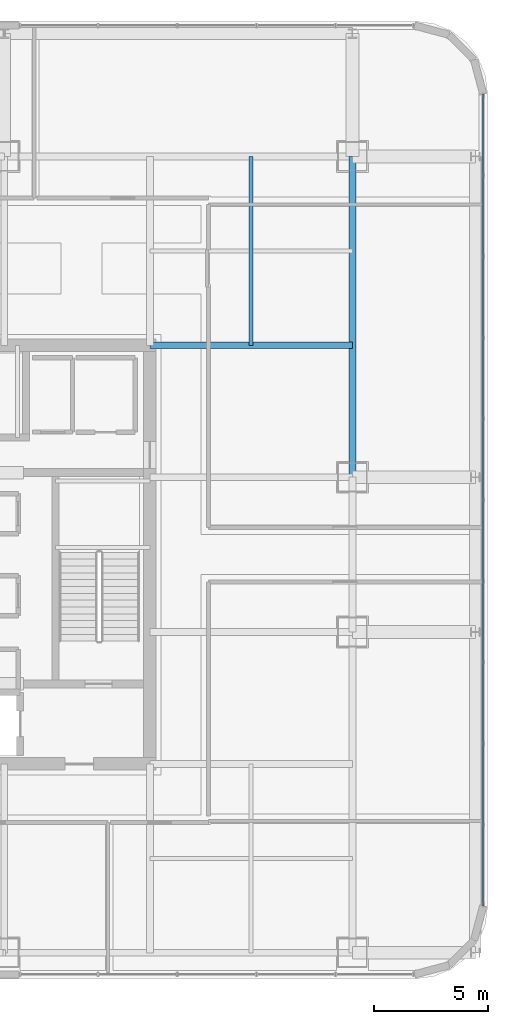
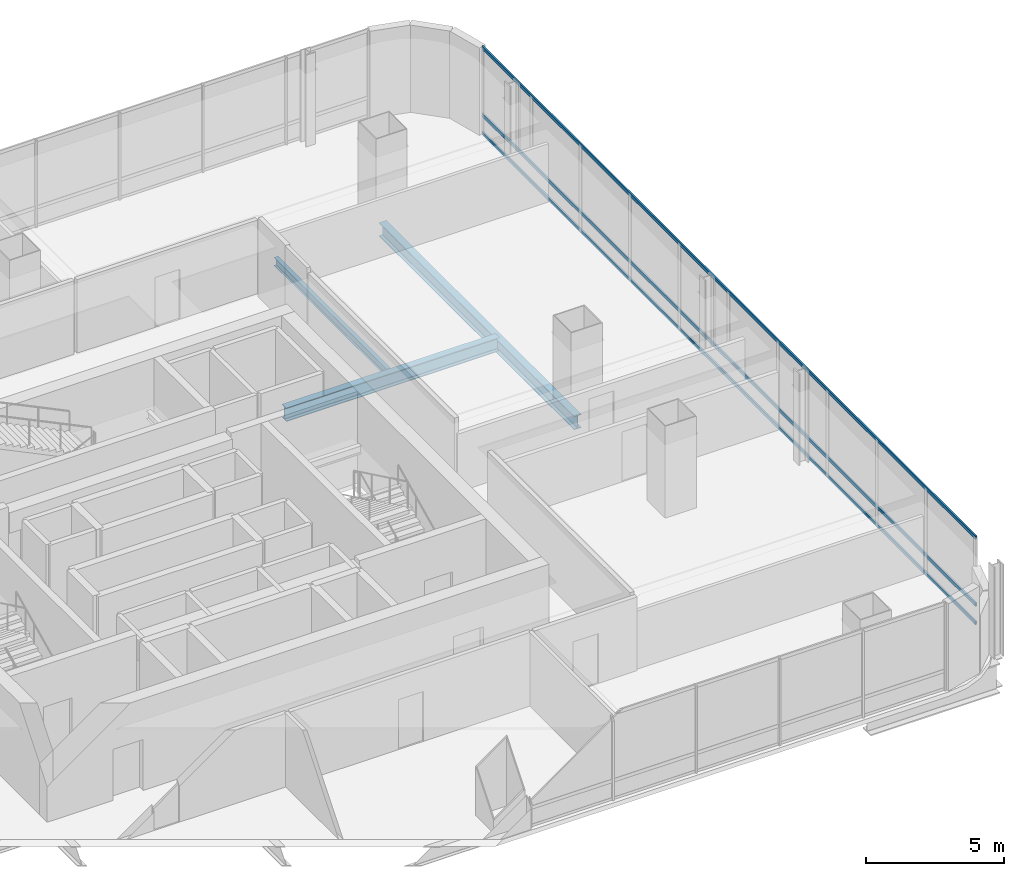
# One storey, part 18 of 44: 3 beams, 3 members, 1 element without a shape of its own.
"""IFC4 building model written with IfcOpenShell, lengths in metres."""

from ifc_helpers import new_model, si_unit, direction, frame, origin, origin_2d, place, context, subcontext, project, spatial, hollow_rectangle, i_section, extrude, material, material_profile, profile_set, type_object, element, aggregate, save


model = new_model("IFC4")

# Units and contexts
model_context = context("Model", 3, precision=1e-05, world=origin(), true_north=direction((0.0, 1.0)))
body_context = subcontext(model_context, "Body", "Model", "MODEL_VIEW")
ifc_project = project(units=[si_unit("LENGTHUNIT", "METRE"), si_unit("AREAUNIT", "SQUARE_METRE"), si_unit("VOLUMEUNIT", "CUBIC_METRE"), si_unit("PLANEANGLEUNIT", "RADIAN"), si_unit("MASSUNIT", "GRAM", prefix="KILO")], contexts=[model_context])

# Site, building, storey
site_placement = place(None, origin())
site = spatial("IfcSite", under=ifc_project, at=site_placement, CompositionType="ELEMENT")
building_placement = place(site_placement, origin())
building = spatial("IfcBuilding", under=site, at=building_placement, Name="Punatoya Terracotta Tower", CompositionType="ELEMENT")
storey_placement = place(building_placement, frame((0.0, 0.0, 267.60009765625)))
storey = spatial("IfcBuildingStorey", under=building, at=storey_placement, Name="L63", CompositionType="ELEMENT", Elevation=267.60009765625)

# Beams
ifc_material_1 = material(Name="Steel S355", Category="steel")
ifc_material_profile_1 = material_profile(ifc_material_1, i_section(OverallWidth=0.300048828125, OverallDepth=0.60009765625, WebThickness=0.015380859375, FlangeThickness=0.030029296875, FilletRadius=0.01806640625, at=origin_2d()))
ifc_profile_set_1 = profile_set([ifc_material_profile_1], Name="Steel S355")
beam_type_1 = type_object("IfcBeamType", Name="BM-PRI-600", PredefinedType="BEAM", material=ifc_profile_set_1)
beam_1_placement = place(storey_placement, frame((19.10009765625, 3.39990234375, -0.5), z_axis=(0.0, 1.0, 0.0), x_axis=(-1.0, 0.0, 0.0)))
element("IfcBeam", 1, at=beam_1_placement, inside=storey, type_object=beam_type_1, Name="BM-L63-RG-E3", PredefinedType="BEAM", context=body_context, shape_type="SweptSolid", body=[
    extrude(i_section(OverallWidth=0.300048828125, OverallDepth=0.60009765625, WebThickness=0.015380859375, FlangeThickness=0.030029296875, FilletRadius=0.01806640625, at=origin_2d()), origin(), (0.0, 0.0, 1.0), 14.10009765625),
])
beam_2_placement = place(storey_placement, frame((10.199951171875, 9.199951171875, -0.5), z_axis=(1.0, 0.0, 0.0), x_axis=(0.0, 1.0, 0.0)))
element("IfcBeam", 2, at=beam_2_placement, inside=storey, type_object=beam_type_1, Name="BM-L63-PR-EN", PredefinedType="BEAM", context=body_context, shape_type="SweptSolid", body=[
    extrude(i_section(OverallWidth=0.300048828125, OverallDepth=0.60009765625, WebThickness=0.015380859375, FlangeThickness=0.030029296875, FilletRadius=0.01806640625, at=origin_2d()), origin(), (0.0, 0.0, 1.0), 8.900146484375),
])
ifc_material_profile_2 = material_profile(ifc_material_1, i_section(OverallWidth=0.169921875, OverallDepth=0.360107421875, WebThickness=0.008056640625, FlangeThickness=0.0126953125, FilletRadius=0.01806640625, at=origin_2d()))
ifc_profile_set_2 = profile_set([ifc_material_profile_2], Name="Steel S355")
beam_type_2 = type_object("IfcBeamType", Name="BM-SEC-360", PredefinedType="JOIST", material=ifc_profile_set_2)
beam_3_placement = place(storey_placement, frame((14.64990234375, 9.199951171875, -0.380126953125), z_axis=(0.0, 1.0, 0.0), x_axis=(-1.0, 0.0, 0.0)))
element("IfcBeam", 3, at=beam_3_placement, inside=storey, type_object=beam_type_2, Name="BM-L63-SJE-2", PredefinedType="JOIST", context=body_context, shape_type="SweptSolid", body=[
    extrude(i_section(OverallWidth=0.169921875, OverallDepth=0.360107421875, WebThickness=0.008056640625, FlangeThickness=0.0126953125, FilletRadius=0.01806640625, at=origin_2d()), origin(), (0.0, 0.0, 1.0), 8.300048828125),
])

# Curtain wall, members
ifc_material_2 = material(Name="Aluminium 6063-T6 + Double Low-E Glass", Category="aluminium")
curtain_wall_type = type_object("IfcCurtainWallType", Name="CW-M3", PredefinedType="NOTDEFINED", material=ifc_material_2)
curtain_wall_placement = place(storey_placement, origin())
curtain_wall = element("IfcCurtainWall", 4, at=curtain_wall_placement, inside=storey, type_object=curtain_wall_type, Name="L63 Curtain Wall CW-L63-E05-1", PredefinedType="NOTDEFINED")
ifc_material_3 = material(Name="Aluminium 6063-T6", Category="aluminium")
ifc_material_profile_3 = material_profile(ifc_material_3, hollow_rectangle(XDim=0.068115234375, YDim=0.14990234375, WallThickness=0.00390625, at=origin_2d()))
ifc_profile_set_3 = profile_set([ifc_material_profile_3], Name="Aluminium 6063-T6")
member_type = type_object("IfcMemberType", Name="CW-TRN-TYP", PredefinedType="USERDEFINED", material=ifc_profile_set_3)
member_1_placement = place(storey_placement, frame((24.85009765625, -15.43701171875, 0.039794921875), z_axis=(0.0, 1.0, 0.0), x_axis=(-1.0, 0.0, 0.0)))
member_1 = element("IfcMember", 5, at=member_1_placement, type_object=member_type, Name="CW-L63-E05-1 Transom 1", ObjectType="TRANSOM", PredefinedType="USERDEFINED", context=body_context, shape_type="SweptSolid", body=[
    extrude(hollow_rectangle(XDim=0.068115234375, YDim=0.14990234375, WallThickness=0.00390625, at=origin_2d()), origin(), (0.0, 0.0, 1.0), 35.673828125),
])
member_2_placement = place(storey_placement, frame((24.85009765625, -15.43701171875, 0.849853515625), z_axis=(0.0, 1.0, 0.0), x_axis=(-1.0, 0.0, 0.0)))
member_2 = element("IfcMember", 6, at=member_2_placement, type_object=member_type, Name="CW-L63-E05-1 Transom 2", ObjectType="TRANSOM", PredefinedType="USERDEFINED", context=body_context, shape_type="SweptSolid", body=[
    extrude(hollow_rectangle(XDim=0.068115234375, YDim=0.14990234375, WallThickness=0.00390625, at=origin_2d()), origin(), (0.0, 0.0, 1.0), 35.673828125),
])
member_3_placement = place(storey_placement, frame((24.85009765625, -15.43701171875, 3.809814453125), z_axis=(0.0, 1.0, 0.0), x_axis=(-1.0, 0.0, 0.0)))
member_3 = element("IfcMember", 7, at=member_3_placement, type_object=member_type, Name="CW-L63-E05-1 Transom 3", ObjectType="TRANSOM", PredefinedType="USERDEFINED", context=body_context, shape_type="SweptSolid", body=[
    extrude(hollow_rectangle(XDim=0.068115234375, YDim=0.14990234375, WallThickness=0.00390625, at=origin_2d()), origin(), (0.0, 0.0, 1.0), 35.673828125),
])
aggregate(curtain_wall, [member_1, member_2, member_3])

save(model, "model.ifc")
